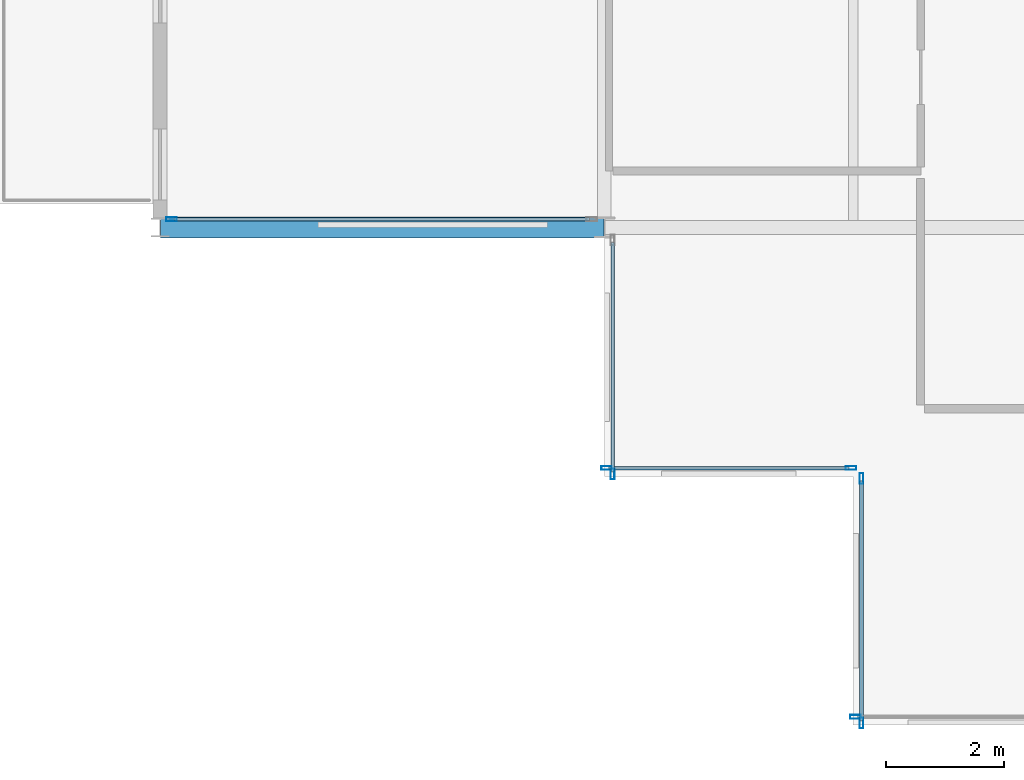
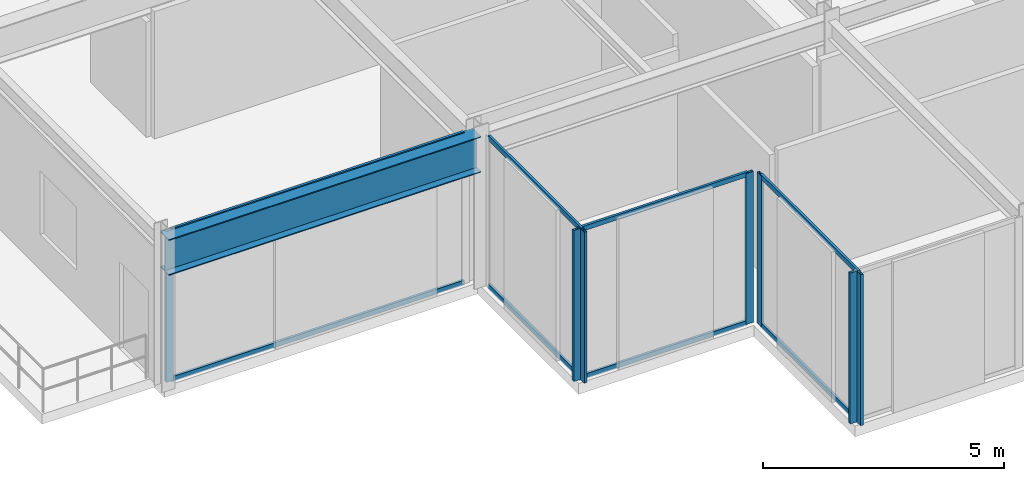
# One storey, part 3 of 29: 15 members, 1 beam, 5 elements without a shape of their own.
"""IFC4 building model written with IfcOpenShell, lengths in metres."""

import ifcopenshell
import ifcopenshell.guid

model = None  # the IFC model being written
_history = None  # IfcOwnerHistory: only IFC2X3 demands one
_inside = {}  # id of a spatial element -> (the spatial element, [elements in it])
_under = {}  # id of a project, library or spatial element -> (it, [spatial elements below it])
_declared = {}  # id of a project -> (the project, [libraries it declares])
_typed = {}  # id of a type object -> (the type object, [elements of that type])
_made_of = {}  # id of a material, layer set ... -> (it, [elements and type objects made of it])


def new_model(schema):
    """Start an empty IFC model of exactly this schema.

    Asked for "IFC4X3", IfcOpenShell would pick the latest addendum, in which some entities
    have other attributes; the version numbers below select the first issue.
    IFC2X3 requires an IfcOwnerHistory on every rooted entity: one is made here for all.
    """
    global model, _history
    if schema == "IFC4X3":
        model = ifcopenshell.file(schema_version=(4, 3, 0, 0))
    else:
        model = ifcopenshell.file(schema=schema)
    _inside.clear()
    _under.clear()
    _declared.clear()
    _typed.clear()
    _made_of.clear()
    _history = None
    if model.schema == "IFC2X3":
        org = make("IfcOrganization", Name="unknown")
        user = make(
            "IfcPersonAndOrganization",
            ThePerson=make("IfcPerson", FamilyName="unknown"),
            TheOrganization=org,
        )
        app = make(
            "IfcApplication",
            ApplicationDeveloper=org,
            Version="unknown",
            ApplicationFullName="unknown",
            ApplicationIdentifier="unknown",
        )
        _history = make(
            "IfcOwnerHistory",
            OwningUser=user,
            OwningApplication=app,
            ChangeAction="ADDED",
            CreationDate=0,
        )
    return model


def make(cls, **values):
    """One entity of the class cls with the attributes given. An attribute that is None is left unset."""
    return model.create_entity(
        cls, **{name: value for name, value in values.items() if value is not None}
    )


def rooted(cls, **values):
    """An entity with a GlobalId (a new one), such as an element, a storey or a relation."""
    return make(cls, GlobalId=ifcopenshell.guid.new(), OwnerHistory=_history, **values)


def si_unit(unit_type, name, prefix=None):
    """IfcSIUnit, for example si_unit("LENGTHUNIT", "METRE", prefix="MILLI")."""
    return make("IfcSIUnit", UnitType=unit_type, Prefix=prefix, Name=name)


def assignment(units):
    """IfcUnitAssignment: the units of a project."""
    return None if units is None else make("IfcUnitAssignment", Units=units)


def point(xyz):
    """IfcCartesianPoint."""
    return None if xyz is None else make("IfcCartesianPoint", Coordinates=xyz)


def direction(xyz):
    """IfcDirection."""
    return None if xyz is None else make("IfcDirection", DirectionRatios=xyz)


def frame(location, z_axis=None, x_axis=None):
    """IfcAxis2Placement3D, a coordinate frame: its origin and axes. An axis left out is left unset."""
    return make(
        "IfcAxis2Placement3D",
        Location=point(location),
        Axis=direction(z_axis),
        RefDirection=direction(x_axis),
    )


def frame_2d(location, x_axis=None):
    """IfcAxis2Placement2D, a coordinate frame in the plane: its origin and x axis."""
    return make(
        "IfcAxis2Placement2D", Location=point(location), RefDirection=direction(x_axis)
    )


def origin():
    """The frame at (0, 0, 0) with its axes left unset."""
    return frame((0.0, 0.0, 0.0))


def origin_2d():
    """The frame at (0, 0) in the plane with its x axis left unset."""
    return frame_2d((0.0, 0.0))


def place(relative_to, where):
    """IfcLocalPlacement: puts the frame where relative to a parent placement (None: the world)."""
    return make(
        "IfcLocalPlacement", PlacementRelTo=relative_to, RelativePlacement=where
    )


def context(
    kind, dimensions, precision=None, world=None, true_north=None, identifier=None
):
    """IfcGeometricRepresentationContext, for example the 3D "Model" context."""
    return make(
        "IfcGeometricRepresentationContext",
        ContextIdentifier=identifier,
        ContextType=kind,
        CoordinateSpaceDimension=dimensions,
        Precision=precision,
        WorldCoordinateSystem=world,
        TrueNorth=true_north,
    )


def subcontext(parent, identifier, kind, view, scale=None):
    """IfcGeometricRepresentationSubContext, for example "Body" below "Model"."""
    return make(
        "IfcGeometricRepresentationSubContext",
        ContextIdentifier=identifier,
        ContextType=kind,
        ParentContext=parent,
        TargetScale=scale,
        TargetView=view,
    )


def project(units=None, contexts=None):
    """IfcProject with its units and contexts."""
    return rooted(
        "IfcProject",
        Name="project",
        RepresentationContexts=contexts,
        UnitsInContext=assignment(units),
    )


def spatial(cls, under=None, at=None, **own):
    """A site, building, storey or space (cls), placed at a placement, below another one or the project."""
    s = rooted(cls, ObjectPlacement=at, **own)
    if under is not None:
        _under.setdefault(under.id(), (under, []))[1].append(s)
    return s


def profile(cls, at=None, kind="AREA", **sizes):
    """A parametric profile (cls). Its sizes go by their IFC names, for example OverallWidth=200.0."""
    return make(cls, ProfileType=kind, Position=at, **sizes)


def hollow_rectangle(**sizes):
    """IfcRectangleHollowProfileDef."""
    return profile("IfcRectangleHollowProfileDef", **sizes)


def i_section(**sizes):
    """IfcIShapeProfileDef."""
    return profile("IfcIShapeProfileDef", **sizes)


def extrude(swept, where, along, depth):
    """IfcExtrudedAreaSolid: the profile swept, set in the frame where, extruded along a direction by depth."""
    return make(
        "IfcExtrudedAreaSolid",
        SweptArea=swept,
        Position=where,
        ExtrudedDirection=direction(along),
        Depth=depth,
    )


def shape(context_of_items, identifier, shape_type, items):
    """IfcShapeRepresentation: the items that make up one representation, for example the "Body"."""
    return make(
        "IfcShapeRepresentation",
        ContextOfItems=context_of_items,
        RepresentationIdentifier=identifier,
        RepresentationType=shape_type,
        Items=items,
    )


def material(Name=None, Category=None):
    """IfcMaterial."""
    return make("IfcMaterial", Name=Name, Category=Category)


def layer(
    of_material, thickness, ventilated=None, Name=None, Category=None, Priority=None
):
    """IfcMaterialLayer: one layer of a wall or slab, of a material (None: an air gap)."""
    return make(
        "IfcMaterialLayer",
        Material=of_material,
        LayerThickness=thickness,
        IsVentilated=ventilated,
        Name=Name,
        Category=Category,
        Priority=Priority,
    )


def layer_set(layers, Name=None):
    """IfcMaterialLayerSet."""
    return make("IfcMaterialLayerSet", MaterialLayers=layers, LayerSetName=Name)


def material_profile(
    of_material, cross_section, Name=None, Category=None, Priority=None
):
    """IfcMaterialProfile: a cross section and its material."""
    return make(
        "IfcMaterialProfile",
        Name=Name,
        Material=of_material,
        Profile=cross_section,
        Priority=Priority,
        Category=Category,
    )


def profile_set(profiles, Name=None, composite=None):
    """IfcMaterialProfileSet."""
    return make(
        "IfcMaterialProfileSet",
        Name=Name,
        MaterialProfiles=profiles,
        CompositeProfile=composite,
    )


def made_of(thing, what):
    """Note that an element or type object is made of a material, layer set ...; save() writes the relation."""
    if what is not None:
        _made_of.setdefault(what.id(), (what, []))[1].append(thing)
    return thing


def type_object(cls, material=None, **own):
    """A type object (cls), such as IfcWallType, which elements share."""
    return made_of(rooted(cls, **own), material)


def element(
    cls,
    number,
    at=None,
    inside=None,
    cuts=None,
    type_object=None,
    material=None,
    context=None,
    identifier="Body",
    shape_type=None,
    held_by="IfcProductDefinitionShape",
    body=None,
    shapes=None,
    **own,
):
    """One element of the class cls, such as IfcWall. Its Tag is "e" and its number.

    at: its placement. inside: the storey or other place that contains it. cuts: it is an
    opening in that element (IfcRelVoidsElement). A single representation is given by context,
    identifier, shape_type and body (its items); several are given by shapes. held_by: the class
    of the entity that holds the representations. save() writes the other relations.
    """
    e = rooted(cls, Tag="e%d" % number, ObjectPlacement=at, **own)
    if body is not None:
        shapes = [shape(context, identifier, shape_type, body)]
    if shapes is not None:
        e.Representation = make(held_by, Representations=shapes)
    if inside is not None:
        _inside.setdefault(inside.id(), (inside, []))[1].append(e)
    if cuts is not None:
        rooted(
            "IfcRelVoidsElement", RelatingBuildingElement=cuts, RelatedOpeningElement=e
        )
    if type_object is not None:
        _typed.setdefault(type_object.id(), (type_object, []))[1].append(e)
    return made_of(e, material)


def aggregate(whole, parts):
    """IfcRelAggregates: a whole, such as a stair, and the parts it consists of."""
    return rooted("IfcRelAggregates", RelatingObject=whole, RelatedObjects=parts)


def save(model, path):
    """Write the relations noted so far, then the file.

    IfcRelAggregates (storeys below a building ...), IfcRelContainedInSpatialStructure (elements
    in a storey), IfcRelDefinesByType, IfcRelAssociatesMaterial and IfcRelDeclares: one each for
    every whole, place, type object, material and project.
    """
    for whole, parts in _under.values():
        aggregate(whole, parts)
    for where, things in _inside.values():
        rooted(
            "IfcRelContainedInSpatialStructure",
            RelatedElements=things,
            RelatingStructure=where,
        )
    for kind, things in _typed.values():
        rooted("IfcRelDefinesByType", RelatedObjects=things, RelatingType=kind)
    for what, things in _made_of.values():
        rooted("IfcRelAssociatesMaterial", RelatedObjects=things, RelatingMaterial=what)
    for by, libraries in _declared.values():
        rooted("IfcRelDeclares", RelatingContext=by, RelatedDefinitions=libraries)
    model.write(path)


model = new_model("IFC4")

# Units and contexts
model_context = context("Model", 3, precision=1e-05, world=origin(), true_north=direction((0.0, 1.0)))
body_context = subcontext(model_context, "Body", "Model", "MODEL_VIEW")
ifc_project = project(units=[si_unit("LENGTHUNIT", "METRE"), si_unit("AREAUNIT", "SQUARE_METRE"), si_unit("VOLUMEUNIT", "CUBIC_METRE"), si_unit("PLANEANGLEUNIT", "RADIAN"), si_unit("MASSUNIT", "GRAM", prefix="KILO")], contexts=[model_context])

# Site, building, storey
site_placement = place(None, origin())
site = spatial("IfcSite", under=ifc_project, at=site_placement, CompositionType="ELEMENT")
building_placement = place(site_placement, origin())
building = spatial("IfcBuilding", under=site, at=building_placement, Name="Nerrivon Quay Data Exchange", CompositionType="ELEMENT")
storey_placement = place(building_placement, frame((0.0, 0.0, 212.39990234375)))
storey = spatial("IfcBuildingStorey", under=building, at=storey_placement, Name="L50", CompositionType="ELEMENT", Elevation=212.39990234375)

# Beam
ifc_material_1 = material(Name="Steel Grade 350", Category="steel")
ifc_material_profile_1 = material_profile(ifc_material_1, i_section(OverallWidth=0.35009765625, OverallDepth=0.909912109375, WebThickness=0.011962890625, FlangeThickness=0.02490234375, at=origin_2d()), Name="900WB218")
ifc_profile_set_1 = profile_set([ifc_material_profile_1], Name="Steel Grade 350")
beam_type = type_object("IfcBeamType", Name="BM-CANT-900WB", PredefinedType="USERDEFINED", material=ifc_profile_set_1)
beam_placement = place(storey_placement, frame((-0.010009765625, 8.39990234375, 3.3701171875), z_axis=(-1.0, 0.0, 0.0), x_axis=(0.0, -1.0, 0.0)))
element("IfcBeam", 1, at=beam_placement, inside=storey, type_object=beam_type, Name="L50 West Hooked Cantilever Girder Y=8.4", ObjectType="TRANSFER", PredefinedType="USERDEFINED", context=body_context, shape_type="SweptSolid", body=[
    extrude(i_section(OverallWidth=0.35009765625, OverallDepth=0.909912109375, WebThickness=0.011962890625, FlangeThickness=0.02490234375, at=origin_2d()), origin(), (0.0, 0.0, 1.0), 7.482177734375),
])

# Curtain wall, member
ifc_material_2 = material(Name="Anodised aluminium 6063-T6", Category="aluminium")
ifc_layer_1 = layer(ifc_material_2, 0.195068359375)
ifc_layer_set_1 = layer_set([ifc_layer_1], Name="Anodised aluminium 6063-T6")
curtain_wall_type_1 = type_object("IfcCurtainWallType", Name="CW-SYS-06", PredefinedType="NOTDEFINED", material=ifc_layer_set_1)
curtain_wall_1_placement = place(storey_placement, origin())
curtain_wall_1 = element("IfcCurtainWall", 2, at=curtain_wall_1_placement, inside=storey, type_object=curtain_wall_type_1, Name="L50 Unitised Curtain Wall 28", PredefinedType="NOTDEFINED")
ifc_material_profile_2 = material_profile(ifc_material_2, hollow_rectangle(XDim=0.06494140625, YDim=0.179931640625, WallThickness=0.00341796875, at=origin_2d()), Name="ALU-MULL-180x65")
ifc_profile_set_2 = profile_set([ifc_material_profile_2], Name="Anodised aluminium 6063-T6")
member_type_1 = type_object("IfcMemberType", Name="CWM-180x65", PredefinedType="MULLION", material=ifc_profile_set_2)
member_1_placement = place(storey_placement, frame((4.237548828125, 0.139892578125, 0.0), z_axis=(0.0, 0.0, 1.0), x_axis=(0.0, -1.0, 0.0)))
member_1 = element("IfcMember", 3, at=member_1_placement, type_object=member_type_1, Name="CW06 mullion 2", PredefinedType="MULLION", context=body_context, shape_type="SweptSolid", body=[
    extrude(hollow_rectangle(XDim=0.06494140625, YDim=0.179931640625, WallThickness=0.00341796875, at=origin_2d()), origin(), (0.0, 0.0, 1.0), 3.8251953125),
])
aggregate(curtain_wall_1, [member_1])

# Curtain wall, members
curtain_wall_2_placement = place(storey_placement, origin())
curtain_wall_2 = element("IfcCurtainWall", 4, at=curtain_wall_2_placement, inside=storey, type_object=curtain_wall_type_1, Name="L50 Unitised Curtain Wall 29", PredefinedType="NOTDEFINED")
member_2_placement = place(storey_placement, frame((4.340087890625, 0.03759765625, 0.0), z_axis=(0.0, 0.0, 1.0), x_axis=(-1.0, 0.0, 0.0)))
member_2 = element("IfcMember", 5, at=member_2_placement, type_object=member_type_1, Name="CW06 mullion 1", PredefinedType="MULLION", context=body_context, shape_type="SweptSolid", body=[
    extrude(hollow_rectangle(XDim=0.06494140625, YDim=0.179931640625, WallThickness=0.00341796875, at=origin_2d()), origin(), (0.0, 0.0, 1.0), 3.8251953125),
])
member_3_placement = place(storey_placement, frame((4.340087890625, 4.16259765625, 0.0), z_axis=(0.0, 0.0, 1.0), x_axis=(-1.0, 0.0, 0.0)))
member_3 = element("IfcMember", 6, at=member_3_placement, type_object=member_type_1, Name="CW06 mullion 2", PredefinedType="MULLION", context=body_context, shape_type="SweptSolid", body=[
    extrude(hollow_rectangle(XDim=0.06494140625, YDim=0.179931640625, WallThickness=0.00341796875, at=origin_2d()), origin(), (0.0, 0.0, 1.0), 3.8251953125),
])

curtain_wall_3_placement = place(storey_placement, origin())
curtain_wall_3 = element("IfcCurtainWall", 7, at=curtain_wall_3_placement, inside=storey, type_object=curtain_wall_type_1, Name="L50 Unitised Curtain Wall 30", PredefinedType="NOTDEFINED")
member_4_placement = place(storey_placement, frame((4.16259765625, 4.340087890625, 0.0), z_axis=(0.0, 0.0, 1.0), x_axis=(0.0, -1.0, 0.0)))
member_4 = element("IfcMember", 8, at=member_4_placement, type_object=member_type_1, Name="CW06 mullion 1", PredefinedType="MULLION", context=body_context, shape_type="SweptSolid", body=[
    extrude(hollow_rectangle(XDim=0.06494140625, YDim=0.179931640625, WallThickness=0.00341796875, at=origin_2d()), origin(), (0.0, 0.0, 1.0), 3.8251953125),
])
member_5_placement = place(storey_placement, frame((0.03759765625, 4.340087890625, 0.0), z_axis=(0.0, 0.0, 1.0), x_axis=(0.0, -1.0, 0.0)))
member_5 = element("IfcMember", 9, at=member_5_placement, type_object=member_type_1, Name="CW06 mullion 2", PredefinedType="MULLION", context=body_context, shape_type="SweptSolid", body=[
    extrude(hollow_rectangle(XDim=0.06494140625, YDim=0.179931640625, WallThickness=0.00341796875, at=origin_2d()), origin(), (0.0, 0.0, 1.0), 3.8251953125),
])

# Curtain wall, member
curtain_wall_4_placement = place(storey_placement, origin())
curtain_wall_4 = element("IfcCurtainWall", 10, at=curtain_wall_4_placement, inside=storey, type_object=curtain_wall_type_1, Name="L50 Unitised Curtain Wall 31", PredefinedType="NOTDEFINED")
member_6_placement = place(storey_placement, frame((0.139892578125, 4.237548828125, 0.0), z_axis=(0.0, 0.0, 1.0), x_axis=(-1.0, 0.0, 0.0)))
member_6 = element("IfcMember", 11, at=member_6_placement, type_object=member_type_1, Name="CW06 mullion 1", PredefinedType="MULLION", context=body_context, shape_type="SweptSolid", body=[
    extrude(hollow_rectangle(XDim=0.06494140625, YDim=0.179931640625, WallThickness=0.00341796875, at=origin_2d()), origin(), (0.0, 0.0, 1.0), 3.8251953125),
])

ifc_layer_2 = layer(ifc_material_2, 0.199951171875)
ifc_layer_set_2 = layer_set([ifc_layer_2], Name="Anodised aluminium 6063-T6")
curtain_wall_type_2 = type_object("IfcCurtainWallType", Name="CW-SYS-04", PredefinedType="NOTDEFINED", material=ifc_layer_set_2)
curtain_wall_5_placement = place(storey_placement, origin())
curtain_wall_5 = element("IfcCurtainWall", 12, at=curtain_wall_5_placement, inside=storey, type_object=curtain_wall_type_2, Name="L50 Unitised Curtain Wall 32", PredefinedType="NOTDEFINED")
member_7_placement = place(storey_placement, frame((-7.306884765625, 8.5400390625, 0.0), z_axis=(0.0, 0.0, 1.0), x_axis=(0.0, -1.0, 0.0)))
member_7 = element("IfcMember", 13, at=member_7_placement, type_object=member_type_1, Name="CW04 mullion 2", PredefinedType="MULLION", context=body_context, shape_type="SweptSolid", body=[
    extrude(hollow_rectangle(XDim=0.06494140625, YDim=0.179931640625, WallThickness=0.00341796875, at=origin_2d()), origin(), (0.0, 0.0, 1.0), 3.8251953125),
])

# Member
ifc_material_profile_3 = material_profile(ifc_material_2, hollow_rectangle(XDim=0.06005859375, YDim=0.1201171875, WallThickness=0.003173828125, at=origin_2d()), Name="ALU-TRAN-120x60")
ifc_profile_set_3 = profile_set([ifc_material_profile_3], Name="Anodised aluminium 6063-T6")
member_type_2 = type_object("IfcMemberType", Name="CWT-120x60", PredefinedType="USERDEFINED", material=ifc_profile_set_3)
member_8_placement = place(storey_placement, frame((4.340087890625, 0.074951171875, 0.03271484375), z_axis=(0.0, 1.0, 0.0), x_axis=(-1.0, 0.0, 0.0)))
member_8 = element("IfcMember", 14, at=member_8_placement, type_object=member_type_2, Name="CW06 transom 1.1", ObjectType="TRANSOM", PredefinedType="USERDEFINED", context=body_context, shape_type="SweptSolid", body=[
    extrude(hollow_rectangle(XDim=0.06005859375, YDim=0.1201171875, WallThickness=0.003173828125, at=origin_2d()), origin(), (0.0, 0.0, 1.0), 4.050048828125),
])

member_9_placement = place(storey_placement, frame((4.340087890625, 0.074951171875, 3.79248046875), z_axis=(0.0, 1.0, 0.0), x_axis=(-1.0, 0.0, 0.0)))
member_9 = element("IfcMember", 15, at=member_9_placement, type_object=member_type_2, Name="CW06 transom 1.2", ObjectType="TRANSOM", PredefinedType="USERDEFINED", context=body_context, shape_type="SweptSolid", body=[
    extrude(hollow_rectangle(XDim=0.06005859375, YDim=0.1201171875, WallThickness=0.003173828125, at=origin_2d()), origin(), (0.0, 0.0, 1.0), 4.050048828125),
])

aggregate(curtain_wall_2, [member_2, member_3, member_8, member_9])

member_10_placement = place(storey_placement, frame((4.125, 4.340087890625, 0.03271484375), z_axis=(-1.0, 0.0, 0.0), x_axis=(0.0, -1.0, 0.0)))
member_10 = element("IfcMember", 16, at=member_10_placement, type_object=member_type_2, Name="CW06 transom 1.1", ObjectType="TRANSOM", PredefinedType="USERDEFINED", context=body_context, shape_type="SweptSolid", body=[
    extrude(hollow_rectangle(XDim=0.06005859375, YDim=0.1201171875, WallThickness=0.003173828125, at=origin_2d()), origin(), (0.0, 0.0, 1.0), 4.050048828125),
])

member_11_placement = place(storey_placement, frame((4.125, 4.340087890625, 3.79248046875), z_axis=(-1.0, 0.0, 0.0), x_axis=(0.0, -1.0, 0.0)))
member_11 = element("IfcMember", 17, at=member_11_placement, type_object=member_type_2, Name="CW06 transom 1.2", ObjectType="TRANSOM", PredefinedType="USERDEFINED", context=body_context, shape_type="SweptSolid", body=[
    extrude(hollow_rectangle(XDim=0.06005859375, YDim=0.1201171875, WallThickness=0.003173828125, at=origin_2d()), origin(), (0.0, 0.0, 1.0), 4.050048828125),
])

aggregate(curtain_wall_3, [member_4, member_5, member_10, member_11])

member_12_placement = place(storey_placement, frame((0.139892578125, 4.27490234375, 0.03271484375), z_axis=(0.0, 1.0, 0.0), x_axis=(-1.0, 0.0, 0.0)))
member_12 = element("IfcMember", 18, at=member_12_placement, type_object=member_type_2, Name="CW06 transom 1.1", ObjectType="TRANSOM", PredefinedType="USERDEFINED", context=body_context, shape_type="SweptSolid", body=[
    extrude(hollow_rectangle(XDim=0.06005859375, YDim=0.1201171875, WallThickness=0.003173828125, at=origin_2d()), origin(), (0.0, 0.0, 1.0), 3.875),
])

member_13_placement = place(storey_placement, frame((0.139892578125, 4.27490234375, 3.79248046875), z_axis=(0.0, 1.0, 0.0), x_axis=(-1.0, 0.0, 0.0)))
member_13 = element("IfcMember", 19, at=member_13_placement, type_object=member_type_2, Name="CW06 transom 1.2", ObjectType="TRANSOM", PredefinedType="USERDEFINED", context=body_context, shape_type="SweptSolid", body=[
    extrude(hollow_rectangle(XDim=0.06005859375, YDim=0.1201171875, WallThickness=0.003173828125, at=origin_2d()), origin(), (0.0, 0.0, 1.0), 3.875),
])

aggregate(curtain_wall_4, [member_6, member_12, member_13])

member_14_placement = place(storey_placement, frame((-0.25, 8.5400390625, 0.03271484375), z_axis=(-1.0, 0.0, 0.0), x_axis=(0.0, -1.0, 0.0)))
member_14 = element("IfcMember", 20, at=member_14_placement, type_object=member_type_2, Name="CW04 transom 1.1", ObjectType="TRANSOM", PredefinedType="USERDEFINED", context=body_context, shape_type="SweptSolid", body=[
    extrude(hollow_rectangle(XDim=0.06005859375, YDim=0.1201171875, WallThickness=0.003173828125, at=origin_2d()), origin(), (0.0, 0.0, 1.0), 7.01953125),
])

member_15_placement = place(storey_placement, frame((-0.25, 8.5400390625, 3.79248046875), z_axis=(-1.0, 0.0, 0.0), x_axis=(0.0, -1.0, 0.0)))
member_15 = element("IfcMember", 21, at=member_15_placement, type_object=member_type_2, Name="CW04 transom 1.2", ObjectType="TRANSOM", PredefinedType="USERDEFINED", context=body_context, shape_type="SweptSolid", body=[
    extrude(hollow_rectangle(XDim=0.06005859375, YDim=0.1201171875, WallThickness=0.003173828125, at=origin_2d()), origin(), (0.0, 0.0, 1.0), 7.01953125),
])

aggregate(curtain_wall_5, [member_7, member_14, member_15])

save(model, "model.ifc")
